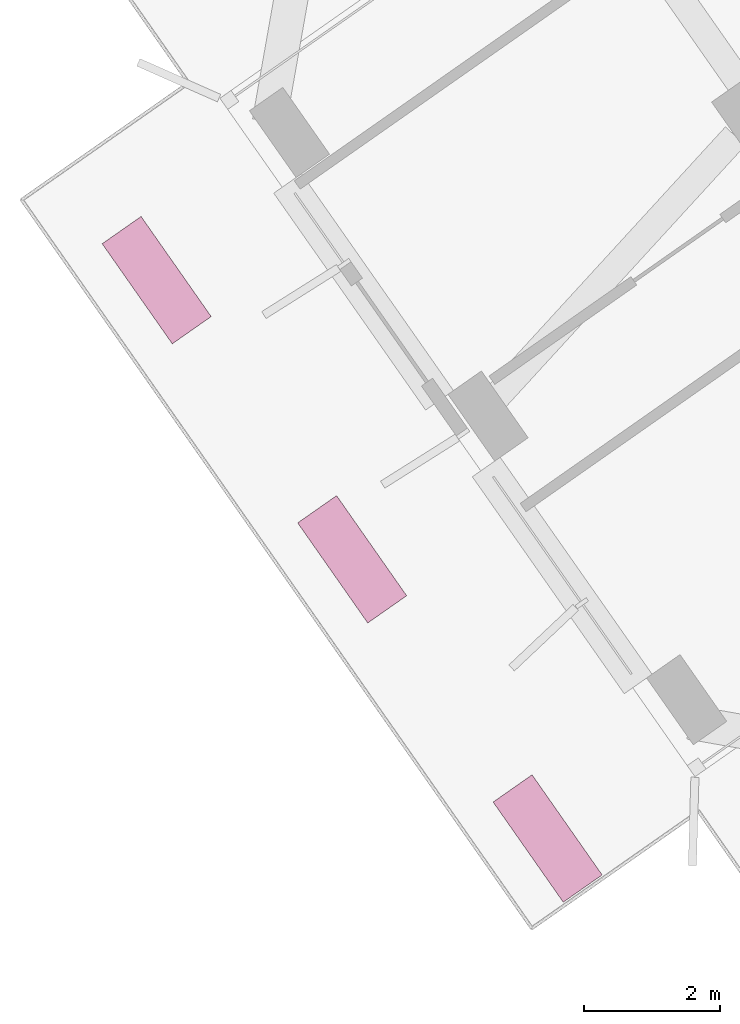
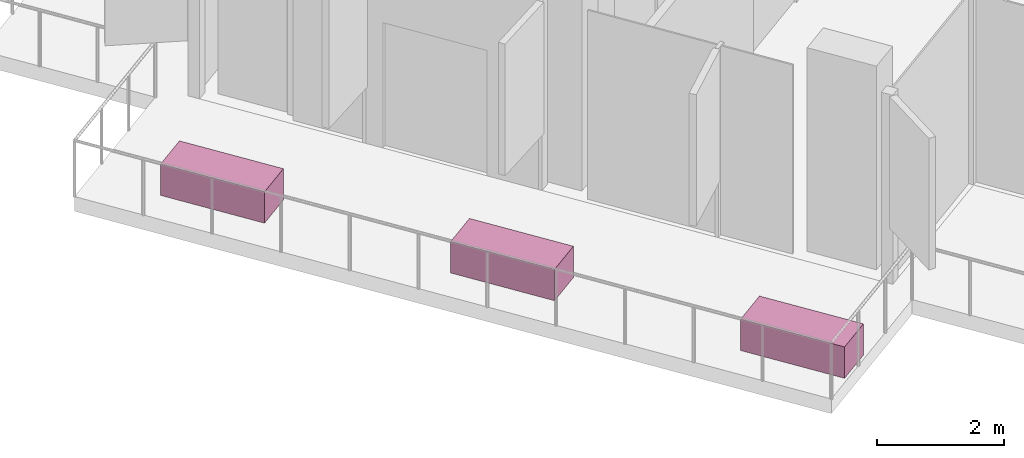
# One storey, part 24 of 24: 3 furniture elements.
"""IFC4 building model written with IfcOpenShell, lengths in metres."""

from ifc_helpers import new_model, si_unit, direction, frame, origin, origin_2d, place, context, subcontext, project, spatial, rectangle, extrude, material, type_object, element, save


model = new_model("IFC4")

# Units and contexts
model_context = context("Model", 3, precision=1e-05, world=origin(), true_north=direction((0.0, 1.0)))
body_context = subcontext(model_context, "Body", "Model", "MODEL_VIEW")
ifc_project = project(units=[si_unit("LENGTHUNIT", "METRE"), si_unit("AREAUNIT", "SQUARE_METRE"), si_unit("VOLUMEUNIT", "CUBIC_METRE"), si_unit("PLANEANGLEUNIT", "RADIAN"), si_unit("MASSUNIT", "GRAM", prefix="KILO")], contexts=[model_context])

# Site, building, storey
site_placement = place(None, origin())
site = spatial("IfcSite", under=ifc_project, at=site_placement, CompositionType="ELEMENT")
building_placement = place(site_placement, origin())
building = spatial("IfcBuilding", under=site, at=building_placement, Name="Tel Ilan Convention Tower", CompositionType="ELEMENT")
storey_placement = place(building_placement, frame((0.0, 0.0, 167.10009765625)))
storey = spatial("IfcBuildingStorey", under=building, at=storey_placement, Name="L38", CompositionType="ELEMENT", Elevation=167.10009765625)

# Furniture
ifc_material = material(Name="Concrete C30/37", Category="concrete")
furniture_type = type_object("IfcFurnitureType", Name="PLANTER 1800x700", AssemblyPlace="NOTDEFINED", PredefinedType="NOTDEFINED", material=ifc_material)
for number, where, z_axis, x_axis, name in (
    (1, (-32.60107421875, -31.373046875, -0.000244140625), (0.0, 0.0, 1.0), (-0.573576436351, 0.819152044289, 0.0), "PLANTER"),
    (2, (-35.48046875, -27.2607421875, -0.000244140625), (0.0, 0.0, 1.0), (-0.573576436351, 0.819152044289, 0.0), "PLANTER"),
    (3, (-38.35986328125, -23.148681640625, -0.000244140625), (0.0, 0.0, 1.0), (-0.573576436351, 0.819152044289, 0.0), "PLANTER"),
):
    element("IfcFurniture", number, at=place(storey_placement, frame(where, z_axis=z_axis, x_axis=x_axis)), inside=storey, type_object=furniture_type, Name=name, PredefinedType="NOTDEFINED", context=body_context, shape_type="SweptSolid", body=[
        extrude(rectangle(XDim=1.800048828125, YDim=0.699951171875, at=origin_2d()), origin(), (0.0, 0.0, 1.0), 0.60009765625),
    ])

save(model, "model.ifc")
